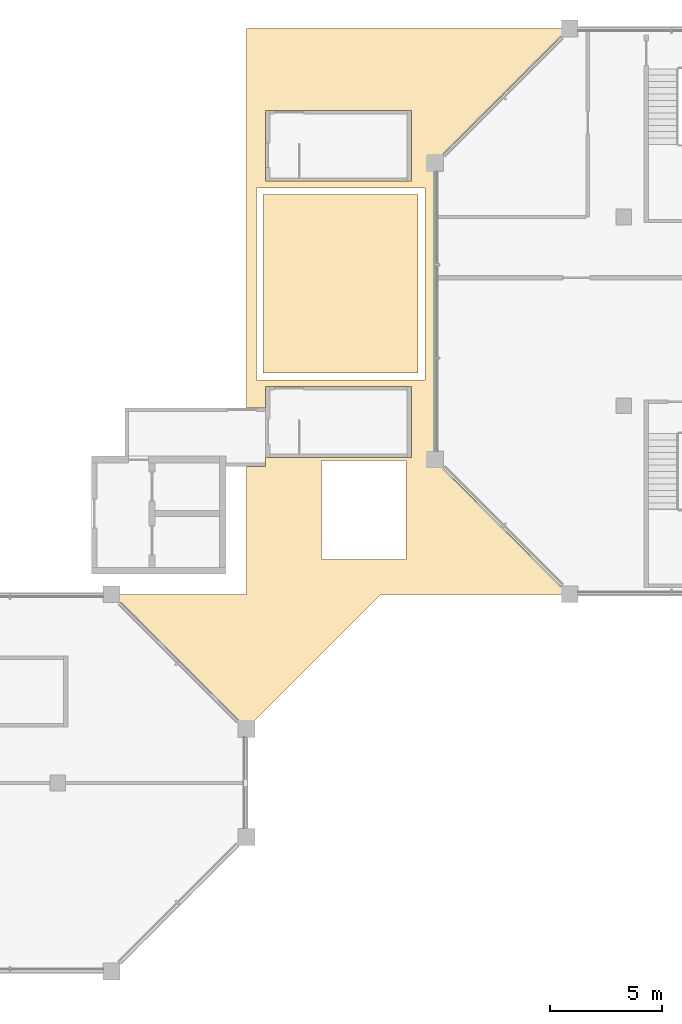
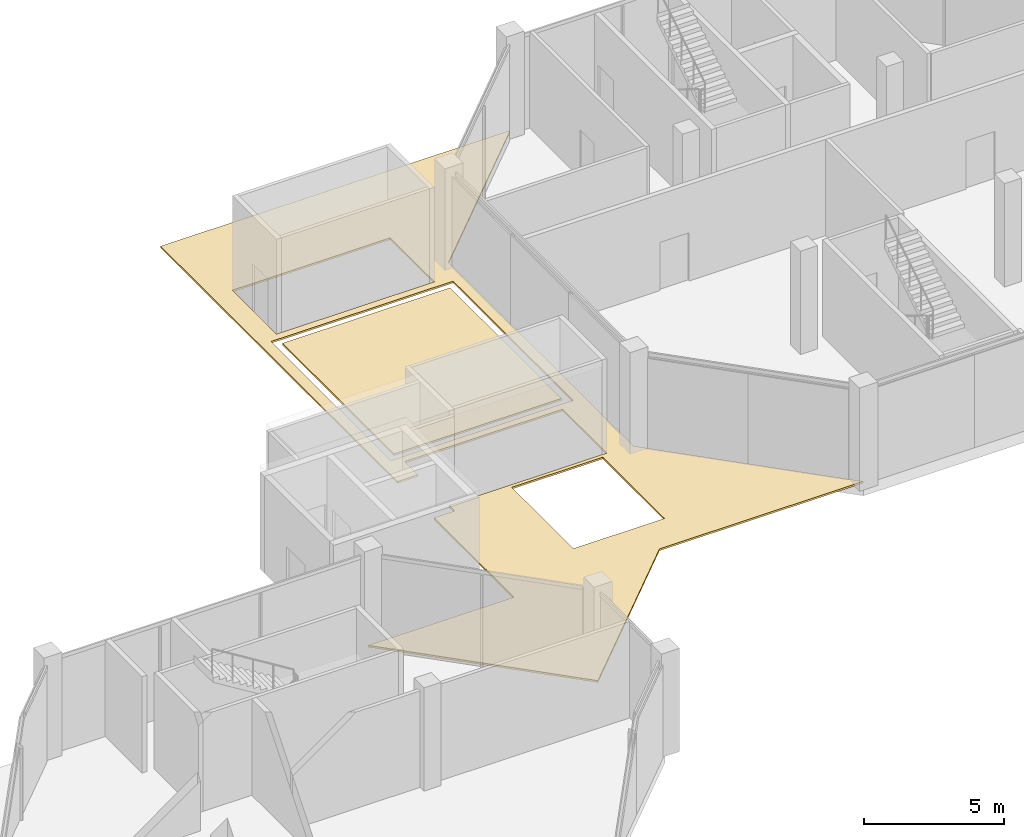
# One storey, part 9 of 10: 2 coverings.
"""IFC4 building model written with IfcOpenShell, lengths in metres."""

from ifc_helpers import new_model, si_unit, direction, frame, origin, place, context, subcontext, project, spatial, polyline, outline, extrude, material, layer, layer_set, type_object, element, save


model = new_model("IFC4")

# Units and contexts
model_context = context("Model", 3, precision=1e-05, world=origin(), true_north=direction((0.0, 1.0)))
body_context = subcontext(model_context, "Body", "Model", "MODEL_VIEW")
ifc_project = project(units=[si_unit("LENGTHUNIT", "METRE"), si_unit("AREAUNIT", "SQUARE_METRE"), si_unit("VOLUMEUNIT", "CUBIC_METRE"), si_unit("PLANEANGLEUNIT", "RADIAN"), si_unit("MASSUNIT", "GRAM", prefix="KILO")], contexts=[model_context])

# Site, building, storey
site_placement = place(None, origin())
site = spatial("IfcSite", under=ifc_project, at=site_placement, CompositionType="ELEMENT")
building_placement = place(site_placement, origin())
building = spatial("IfcBuilding", under=site, at=building_placement, Name="Kawkab Arch Medical Tower", CompositionType="ELEMENT")
storey_placement = place(building_placement, frame((0.0, 0.0, 336.699951171875)))
storey = spatial("IfcBuildingStorey", under=building, at=storey_placement, Name="L78", CompositionType="ELEMENT", Elevation=336.699951171875)

# Coverings
ifc_material = material(Name="Insulated bituminous roof membrane with ballast")
ifc_layer = layer(ifc_material, 0.080078125)
ifc_layer_set = layer_set([ifc_layer], Name="Insulated bituminous roof membrane with ballast")
covering_type = type_object("IfcCoveringType", Name="Roof membrane and insulation 80", PredefinedType="ROOFING", material=ifc_layer_set)
placement = place(storey_placement, origin())
element("IfcCovering", 1, at=placement, inside=storey, type_object=covering_type, Name="Roofing, helipad lobby wing 2", PredefinedType="ROOFING", context=body_context, shape_type="SweptSolid", body=[
    extrude(outline(polyline([(25.199951171875, -31.199951171875), (31.199951171875, -25.199951171875), (39.60009765625, -25.199951171875), (33.60009765625, -19.199951171875), (33.60009765625, -6.0), (39.60009765625, 0.0), (25.199951171875, 0.0), (25.199951171875, -16.89990234375), (26.050048828125, -16.89990234375), (26.050048828125, -15.949951171875), (32.550048828125, -15.949951171875), (32.550048828125, -19.10009765625), (26.050048828125, -19.10009765625), (26.050048828125, -19.5), (25.199951171875, -19.5), (25.199951171875, -25.199951171875), (19.199951171875, -25.199951171875), (25.199951171875, -31.199951171875)]), holes=[polyline([(28.550048828125, -19.25), (32.300048828125, -19.25), (32.300048828125, -23.64990234375), (28.550048828125, -23.64990234375), (28.550048828125, -19.25)]), polyline([(25.64990234375, -15.65087890625), (25.64990234375, -7.10107421875), (33.14990234375, -7.10107421875), (33.14990234375, -15.65087890625), (25.64990234375, -15.65087890625)]), polyline([(26.050048828125, -3.64990234375), (32.550048828125, -3.64990234375), (32.550048828125, -6.800048828125), (26.050048828125, -6.800048828125), (26.050048828125, -3.64990234375)])]), origin(), (0.0, 0.0, 1.0), 0.080078125),
])
element("IfcCovering", 2, at=placement, inside=storey, type_object=covering_type, Name="Roofing, helipad lobby wing 3", PredefinedType="ROOFING", context=body_context, shape_type="SweptSolid", body=[
    extrude(outline(polyline([(25.949951171875, -15.35107421875), (32.85009765625, -15.35107421875), (32.85009765625, -7.40087890625), (25.949951171875, -7.40087890625), (25.949951171875, -15.35107421875)])), origin(), (0.0, 0.0, 1.0), 0.080078125),
])

save(model, "model.ifc")
